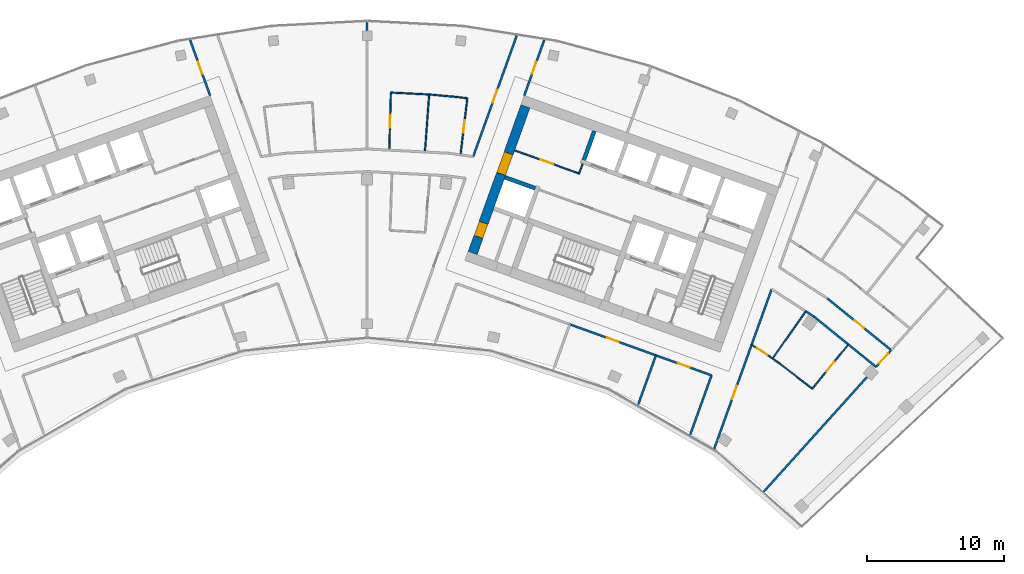
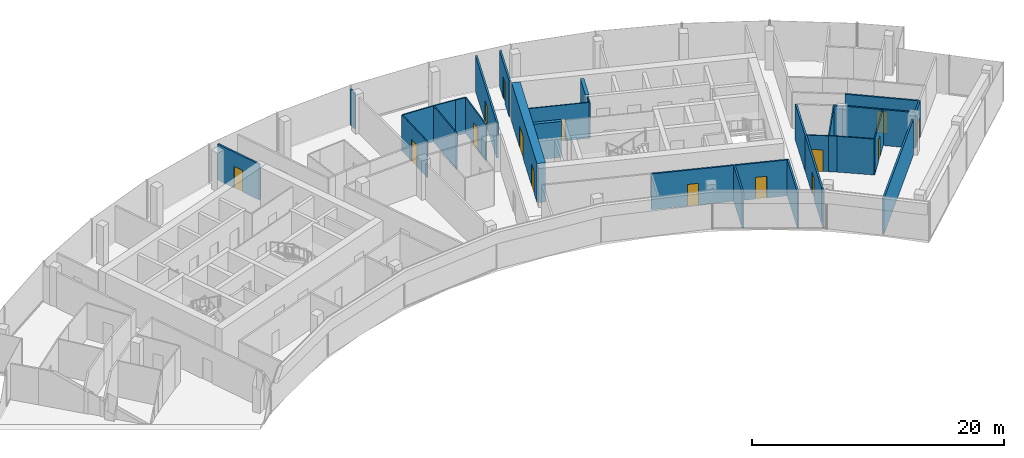
# One storey, part 15 of 18: 33 walls, 15 doors, 15 openings.
"""IFC4 building model written with IfcOpenShell, lengths in metres."""

from ifc_helpers import new_model, si_unit, direction, frame, frame_2d, origin, place, context, subcontext, project, spatial, rectangle, extrude, material, layer, layer_set, type_object, element, fill, save


model = new_model("IFC4")

# Units and contexts
model_context = context("Model", 3, precision=1e-05, world=origin(), true_north=direction((0.0, 1.0)))
body_context = subcontext(model_context, "Body", "Model", "MODEL_VIEW")
ifc_project = project(units=[si_unit("LENGTHUNIT", "METRE"), si_unit("AREAUNIT", "SQUARE_METRE"), si_unit("VOLUMEUNIT", "CUBIC_METRE"), si_unit("PLANEANGLEUNIT", "RADIAN"), si_unit("MASSUNIT", "GRAM", prefix="KILO")], contexts=[model_context])

# Site, building, storey
site_placement = place(None, origin())
site = spatial("IfcSite", under=ifc_project, at=site_placement, CompositionType="ELEMENT")
building_placement = place(site_placement, origin())
building = spatial("IfcBuilding", under=site, at=building_placement, Name="Stone Belt Terrace Tower", CompositionType="ELEMENT")
storey_placement = place(building_placement, frame((0.0, 0.0, 273.199951171875)))
storey = spatial("IfcBuildingStorey", under=building, at=storey_placement, Name="L66", CompositionType="ELEMENT", Elevation=273.199951171875)

# Wall
ifc_material_1 = material(Name="Plasterboard partition")
ifc_layer_1 = layer(ifc_material_1, 0.10009765625)
ifc_layer_set_1 = layer_set([ifc_layer_1], Name="Core partition 100")
wall_type_1 = type_object("IfcWallType", Name="Core partition 100", PredefinedType="PARTITIONING", material=ifc_layer_set_1)
wall_1_placement = place(storey_placement, frame((15.46826171875, 55.384033203125, 0.0), z_axis=(0.0, 0.0, 1.0), x_axis=(0.338481684961, 0.940972979923, 0.0)))
element("IfcWall", 1, at=wall_1_placement, inside=storey, type_object=wall_type_1, Name="Core B wall", PredefinedType="PARTITIONING", context=body_context, shape_type="SweptSolid", body=[
    extrude(rectangle(XDim=0.7998046875, YDim=0.10009765625, at=frame_2d((0.39990234375, 0.0))), origin(), (0.0, 0.0, 1.0), 3.47998046875),
])

# Wall, opening, door
wall_2_placement = place(storey_placement, frame((15.43798828125, 55.447998046875, 0.0), z_axis=(0.0, 0.0, 1.0), x_axis=(-0.940914445113, 0.338644366522, 0.0)))
wall_2 = element("IfcWall", 2, at=wall_2_placement, inside=storey, type_object=wall_type_1, Name="Core B wall", PredefinedType="PARTITIONING", context=body_context, shape_type="SweptSolid", body=[
    extrude(rectangle(XDim=4.949951171875, YDim=0.10009765625, at=frame_2d((2.47509765625, 0.0))), origin(), (0.0, 0.0, 1.0), 3.47998046875),
])
opening_1_placement = place(wall_2_placement, frame((1.949951171875, 0.0, 0.0)))
opening_1 = element("IfcOpeningElement", 3, at=opening_1_placement, cuts=wall_2, Name="Opening L66-C12", PredefinedType="OPENING", context=body_context, shape_type="SweptSolid", body=[
    extrude(rectangle(XDim=1.0, YDim=2.10009765625, at=frame_2d((0.5, 1.050048828125))), frame((0.0, 0.06005859375, 0.0), z_axis=(0.0, -1.0, 0.0), x_axis=(1.0, 0.0, 0.0)), (0.0, 0.0, 1.0), 0.1201171875),
])
ifc_material_2 = material(Name="Timber door leaf", Category="wood")
door_type_1 = type_object("IfcDoorType", Name="Core room door 1000", OperationType="SINGLE_SWING_LEFT", PredefinedType="DOOR", material=ifc_material_2)
door_1_placement = place(opening_1_placement, origin())
door_1 = element("IfcDoor", 4, at=door_1_placement, inside=storey, type_object=door_type_1, Name="Door to Print and copy room core B", OperationType="SINGLE_SWING_RIGHT", OverallHeight=2.10009765625, OverallWidth=1.0, PredefinedType="DOOR", context=body_context, shape_type="SweptSolid", body=[
    extrude(rectangle(XDim=1.0, YDim=2.10009765625, at=frame_2d((0.5, 1.050048828125))), frame((0.0, 0.02490234375, 0.0), z_axis=(0.0, -1.0, 0.0), x_axis=(1.0, 0.0, 0.0)), (0.0, 0.0, 1.0), 0.050048828125),
])
fill(opening_1, door_1)

# Wall, openings, doors
ifc_material_3 = material(Name="Concrete B60", Category="concrete")
ifc_layer_2 = layer(ifc_material_3, 0.699951171875)
ifc_layer_set_2 = layer_set([ifc_layer_2], Name="Core wall 700 B60")
wall_type_2 = type_object("IfcWallType", Name="Core wall 700 B60", PredefinedType="SHEAR", material=ifc_layer_set_2)
wall_3_placement = place(storey_placement, frame((7.70849609375, 49.621337890625, 0.0), z_axis=(0.0, 0.0, 1.0), x_axis=(0.338606471282, 0.940928083121, 0.0)))
wall_3 = element("IfcWall", 5, at=wall_3_placement, inside=storey, type_object=wall_type_2, Name="Core B wall end_a L66", PredefinedType="SHEAR", context=body_context, shape_type="SweptSolid", body=[
    extrude(rectangle(XDim=11.39990234375, YDim=0.699951171875, at=frame_2d((5.699951171875, 0.0))), origin(), (0.0, 0.0, 1.0), 3.800048828125),
])
opening_2_placement = place(wall_3_placement, frame((6.14990234375, 0.0, 0.0)))
opening_2 = element("IfcOpeningElement", 6, at=opening_2_placement, cuts=wall_3, Name="Opening L66-C15", PredefinedType="OPENING", context=body_context, shape_type="SweptSolid", body=[
    extrude(rectangle(XDim=1.60009765625, YDim=2.10009765625, at=frame_2d((0.800048828125, 1.050048828125))), frame((0.0, 0.35986328125, 0.0), z_axis=(0.0, -1.0, 0.0), x_axis=(1.0, 0.0, 0.0)), (0.0, 0.0, 1.0), 0.719970703125),
])
opening_3_placement = place(wall_3_placement, frame((1.25, 0.0, 0.0)))
opening_3 = element("IfcOpeningElement", 7, at=opening_3_placement, cuts=wall_3, Name="Opening L66-C21", PredefinedType="OPENING", context=body_context, shape_type="SweptSolid", body=[
    extrude(rectangle(XDim=1.10009765625, YDim=2.10009765625, at=frame_2d((0.550048828125, 1.050048828125))), frame((0.0, 0.35986328125, 0.0), z_axis=(0.0, -1.0, 0.0), x_axis=(1.0, 0.0, 0.0)), (0.0, 0.0, 1.0), 0.719970703125),
])
door_type_2 = type_object("IfcDoorType", Name="Core room door 1100", OperationType="SINGLE_SWING_LEFT", PredefinedType="DOOR", material=ifc_material_2)
door_2_placement = place(opening_3_placement, origin())
door_2 = element("IfcDoor", 8, at=door_2_placement, inside=storey, type_object=door_type_2, Name="Door to Cleaner's store core B", OperationType="SINGLE_SWING_LEFT", OverallHeight=2.10009765625, OverallWidth=1.10009765625, PredefinedType="DOOR", context=body_context, shape_type="SweptSolid", body=[
    extrude(rectangle(XDim=1.10009765625, YDim=2.10009765625, at=frame_2d((0.550048828125, 1.050048828125))), frame((0.0, 0.330078125, 0.0), z_axis=(0.0, -1.0, 0.0), x_axis=(1.0, 0.0, 0.0)), (0.0, 0.0, 1.0), 0.659912109375),
])
fill(opening_3, door_2)
ifc_material_4 = material(Name="Glazed aluminium door leaf", Category="aluminium")
door_type_3 = type_object("IfcDoorType", Name="Lift lobby entrance door 1600", OperationType="DOUBLE_DOOR_SINGLE_SWING", PredefinedType="DOOR", material=ifc_material_4)
door_3_placement = place(opening_2_placement, origin())
door_3 = element("IfcDoor", 9, at=door_3_placement, inside=storey, type_object=door_type_3, Name="Lift lobby entrance door core B", OperationType="DOUBLE_DOOR_SINGLE_SWING", OverallHeight=2.10009765625, OverallWidth=1.60009765625, PredefinedType="DOOR", context=body_context, shape_type="SweptSolid", body=[
    extrude(rectangle(XDim=1.60009765625, YDim=2.10009765625, at=frame_2d((0.800048828125, 1.050048828125))), frame((0.0, 0.330078125, 0.0), z_axis=(0.0, -1.0, 0.0), x_axis=(1.0, 0.0, 0.0)), (0.0, 0.0, 1.0), 0.659912109375),
])
fill(opening_2, door_3)

# Walls
ifc_material_5 = material(Name="Concrete B80", Category="concrete")
ifc_layer_3 = layer(ifc_material_5, 0.300048828125)
ifc_layer_set_3 = layer_set([ifc_layer_3], Name="Lift shaft wall 300")
wall_type_3 = type_object("IfcWallType", Name="Lift shaft wall 300", PredefinedType="SHEAR", material=ifc_layer_set_3)
wall_4_placement = place(storey_placement, frame((15.8408203125, 56.419189453125, 0.0), z_axis=(0.0, 0.0, 1.0), x_axis=(0.338569601369, 0.940941350472, 0.0)))
element("IfcWall", 10, at=wall_4_placement, inside=storey, type_object=wall_type_3, Name="Core B wall", PredefinedType="SHEAR", context=body_context, shape_type="SweptSolid", body=[
    extrude(rectangle(XDim=2.249755859375, YDim=0.300048828125, at=frame_2d((1.125, 0.0))), origin(), (0.0, 0.0, 1.0), 3.47998046875),
])
wall_5_placement = place(storey_placement, frame((12.280517578125, 54.3525390625, 0.0), z_axis=(0.0, 0.0, 1.0), x_axis=(-0.940925816745, 0.338612769078, 0.0)))
element("IfcWall", 11, at=wall_5_placement, inside=storey, type_object=wall_type_3, Name="Core B wall", PredefinedType="SHEAR", context=body_context, shape_type="SweptSolid", body=[
    extrude(rectangle(XDim=2.349853515625, YDim=0.300048828125, at=frame_2d((1.1748046875, 0.0))), origin(), (0.0, 0.0, 1.0), 3.47998046875),
])

# Wall, opening, door
ifc_material_6 = material(Name="Gypsum board partition")
ifc_layer_4 = layer(ifc_material_6, 0.10009765625)
ifc_layer_set_4 = layer_set([ifc_layer_4], Name="PARTITION 100")
wall_type_4 = type_object("IfcWallType", Name="PARTITION 100", PredefinedType="PARTITIONING", material=ifc_layer_set_4)
wall_6_placement = place(storey_placement, frame((28.093017578125, 42.9208984375, 0.0), z_axis=(0.0, 0.0, 1.0), x_axis=(0.836665899721, -0.547713585958, 0.0)))
wall_6 = element("IfcWall", 12, at=wall_6_placement, inside=storey, type_object=wall_type_4, Name="L66/wall/i070", PredefinedType="PARTITIONING", context=body_context, shape_type="SweptSolid", body=[
    extrude(rectangle(XDim=1.82763671875, YDim=0.10009765625, at=frame_2d((0.913818359375, 0.0))), origin(), (0.0, 0.0, 1.0), 3.47998046875),
])
opening_4_placement = place(wall_6_placement, frame((0.4638671875, 0.0, 0.0)))
opening_4 = element("IfcOpeningElement", 13, at=opening_4_placement, cuts=wall_6, Name="Opening D-E2-20", PredefinedType="OPENING", context=body_context, shape_type="SweptSolid", body=[
    extrude(rectangle(XDim=0.89990234375, YDim=2.10009765625, at=frame_2d((0.449951171875, 1.050048828125))), frame((0.0, 0.06005859375, 0.0), z_axis=(0.0, -1.0, 0.0), x_axis=(1.0, 0.0, 0.0)), (0.0, 0.0, 1.0), 0.1201171875),
])
door_type_4 = type_object("IfcDoorType", Name="OFFICE DOOR 900 X 2100", OperationType="NOTDEFINED", PredefinedType="DOOR", material=ifc_material_2)
door_4_placement = place(opening_4_placement, origin())
door_4 = element("IfcDoor", 14, at=door_4_placement, inside=storey, type_object=door_type_4, Name="L66/door/i20", OperationType="SINGLE_SWING_RIGHT", OverallHeight=2.10009765625, OverallWidth=0.89990234375, PredefinedType="DOOR", context=body_context, shape_type="SweptSolid", body=[
    extrude(rectangle(XDim=0.89990234375, YDim=2.10009765625, at=frame_2d((0.449951171875, 1.050048828125))), frame((0.0, 0.02490234375, 0.0), z_axis=(0.0, -1.0, 0.0), x_axis=(1.0, 0.0, 0.0)), (0.0, 0.0, 1.0), 0.050048828125),
])
fill(opening_4, door_4)

# Walls
wall_7_placement = place(storey_placement, frame((29.6220703125, 41.919921875, 0.0), z_axis=(0.0, 0.0, 1.0), x_axis=(0.813170941338, -0.582024930878, 0.0)))
element("IfcWall", 15, at=wall_7_placement, inside=storey, type_object=wall_type_4, Name="L66/wall/i071", PredefinedType="PARTITIONING", context=body_context, shape_type="SweptSolid", body=[
    extrude(rectangle(XDim=0.6748046875, YDim=0.10009765625, at=frame_2d((0.33740234375, 0.0))), origin(), (0.0, 0.0, 1.0), 3.47998046875),
])
wall_8_placement = place(storey_placement, frame((30.1708984375, 41.527099609375, 0.0), z_axis=(0.0, 0.0, 1.0), x_axis=(0.791624473006, -0.611007932631, 0.0)))
element("IfcWall", 16, at=wall_8_placement, inside=storey, type_object=wall_type_4, Name="L66/wall/i072", PredefinedType="PARTITIONING", context=body_context, shape_type="SweptSolid", body=[
    extrude(rectangle(XDim=2.972412109375, YDim=0.10009765625, at=frame_2d((1.486328125, 0.0))), origin(), (0.0, 0.0, 1.0), 3.47998046875),
])

# Wall, opening, door
wall_9_placement = place(storey_placement, frame((32.52392578125, 39.7109375, 0.0), z_axis=(0.0, 0.0, 1.0), x_axis=(0.633607556463, 0.7736546157, 0.0)))
wall_9 = element("IfcWall", 17, at=wall_9_placement, inside=storey, type_object=wall_type_4, Name="L66/wall/i073", PredefinedType="PARTITIONING", context=body_context, shape_type="SweptSolid", body=[
    extrude(rectangle(XDim=4.169921875, YDim=0.10009765625, at=frame_2d((2.0849609375, 0.0))), origin(), (0.0, 0.0, 1.0), 3.47998046875),
])
opening_5_placement = place(wall_9_placement, frame((1.635009765625, 0.0, 0.0)))
opening_5 = element("IfcOpeningElement", 18, at=opening_5_placement, cuts=wall_9, Name="Opening D-E2-21", PredefinedType="OPENING", context=body_context, shape_type="SweptSolid", body=[
    extrude(rectangle(XDim=0.89990234375, YDim=2.10009765625, at=frame_2d((0.449951171875, 1.050048828125))), frame((0.0, 0.06005859375, 0.0), z_axis=(0.0, -1.0, 0.0), x_axis=(1.0, 0.0, 0.0)), (0.0, 0.0, 1.0), 0.1201171875),
])
door_5_placement = place(opening_5_placement, origin())
door_5 = element("IfcDoor", 19, at=door_5_placement, inside=storey, type_object=door_type_4, Name="L66/door/i21", OperationType="SINGLE_SWING_RIGHT", OverallHeight=2.10009765625, OverallWidth=0.89990234375, PredefinedType="DOOR", context=body_context, shape_type="SweptSolid", body=[
    extrude(rectangle(XDim=0.89990234375, YDim=2.10009765625, at=frame_2d((0.449951171875, 1.050048828125))), frame((0.0, 0.02490234375, 0.0), z_axis=(0.0, -1.0, 0.0), x_axis=(1.0, 0.0, 0.0)), (0.0, 0.0, 1.0), 0.050048828125),
])
fill(opening_5, door_5)

# Walls
wall_10_placement = place(storey_placement, frame((32.052001953125, 45.35888671875, 0.0), z_axis=(0.0, 0.0, 1.0), x_axis=(-0.577067832251, -0.816696220746, 0.0)))
element("IfcWall", 20, at=wall_10_placement, inside=storey, type_object=wall_type_4, Name="L66/wall/i074", PredefinedType="PARTITIONING", context=body_context, shape_type="SweptSolid", body=[
    extrude(rectangle(XDim=4.2109375, YDim=0.10009765625, at=frame_2d((2.10546875, 0.0))), origin(), (0.0, 0.0, 1.0), 3.47998046875),
])
wall_11_placement = place(storey_placement, frame((4.530029296875, 61.2060546875, 0.0), z_axis=(0.0, 0.0, 1.0), x_axis=(-0.998696331393, 0.05104544703, 0.0)))
element("IfcWall", 21, at=wall_11_placement, inside=storey, type_object=wall_type_4, Name="L66/wall/i112", PredefinedType="PARTITIONING", context=body_context, shape_type="SweptSolid", body=[
    extrude(rectangle(XDim=2.802734375, YDim=0.10009765625, at=frame_2d((1.4013671875, 0.0))), origin(), (0.0, 0.0, 1.0), 3.47998046875),
])

# Wall, opening, door
wall_12_placement = place(storey_placement, frame((1.73095703125, 61.34912109375, 0.0), z_axis=(0.0, 0.0, 1.0), x_axis=(-0.028011746804, -0.999607594029, 0.0)))
wall_12 = element("IfcWall", 22, at=wall_12_placement, inside=storey, type_object=wall_type_4, Name="L66/wall/i113", PredefinedType="PARTITIONING", context=body_context, shape_type="SweptSolid", body=[
    extrude(rectangle(XDim=4.209716796875, YDim=0.10009765625, at=frame_2d((2.10498046875, 0.0))), origin(), (0.0, 0.0, 1.0), 3.47998046875),
])
opening_6_placement = place(wall_12_placement, frame((1.65478515625, 0.0, 0.0)))
opening_6 = element("IfcOpeningElement", 23, at=opening_6_placement, cuts=wall_12, Name="Opening D-E2-32", PredefinedType="OPENING", context=body_context, shape_type="SweptSolid", body=[
    extrude(rectangle(XDim=0.89990234375, YDim=2.10009765625, at=frame_2d((0.449951171875, 1.050048828125))), frame((0.0, 0.06005859375, 0.0), z_axis=(0.0, -1.0, 0.0), x_axis=(1.0, 0.0, 0.0)), (0.0, 0.0, 1.0), 0.1201171875),
])
door_6_placement = place(opening_6_placement, origin())
door_6 = element("IfcDoor", 24, at=door_6_placement, inside=storey, type_object=door_type_4, Name="L66/door/i32", OperationType="SINGLE_SWING_RIGHT", OverallHeight=2.10009765625, OverallWidth=0.89990234375, PredefinedType="DOOR", context=body_context, shape_type="SweptSolid", body=[
    extrude(rectangle(XDim=0.89990234375, YDim=2.10009765625, at=frame_2d((0.449951171875, 1.050048828125))), frame((0.0, 0.02490234375, 0.0), z_axis=(0.0, -1.0, 0.0), x_axis=(1.0, 0.0, 0.0)), (0.0, 0.0, 1.0), 0.050048828125),
])
fill(opening_6, door_6)

wall_13_placement = place(storey_placement, frame((6.822021484375, 56.797119140625, 0.0), z_axis=(0.0, 0.0, 1.0), x_axis=(0.119267645101, 0.992862139893, 0.0)))
wall_13 = element("IfcWall", 25, at=wall_13_placement, inside=storey, type_object=wall_type_4, Name="L66/wall/i114", PredefinedType="PARTITIONING", context=body_context, shape_type="SweptSolid", body=[
    extrude(rectangle(XDim=4.167724609375, YDim=0.10009765625, at=frame_2d((2.083984375, 0.0))), origin(), (0.0, 0.0, 1.0), 3.47998046875),
])
opening_7_placement = place(wall_13_placement, frame((1.6337890625, 0.0, 0.0)))
opening_7 = element("IfcOpeningElement", 26, at=opening_7_placement, cuts=wall_13, Name="Opening D-E2-33", PredefinedType="OPENING", context=body_context, shape_type="SweptSolid", body=[
    extrude(rectangle(XDim=0.89990234375, YDim=2.10009765625, at=frame_2d((0.449951171875, 1.050048828125))), frame((0.0, 0.06005859375, 0.0), z_axis=(0.0, -1.0, 0.0), x_axis=(1.0, 0.0, 0.0)), (0.0, 0.0, 1.0), 0.1201171875),
])
door_7_placement = place(opening_7_placement, origin())
door_7 = element("IfcDoor", 27, at=door_7_placement, inside=storey, type_object=door_type_4, Name="L66/door/i33", OperationType="SINGLE_SWING_RIGHT", OverallHeight=2.10009765625, OverallWidth=0.89990234375, PredefinedType="DOOR", context=body_context, shape_type="SweptSolid", body=[
    extrude(rectangle(XDim=0.89990234375, YDim=2.10009765625, at=frame_2d((0.449951171875, 1.050048828125))), frame((0.0, 0.02490234375, 0.0), z_axis=(0.0, -1.0, 0.0), x_axis=(1.0, 0.0, 0.0)), (0.0, 0.0, 1.0), 0.050048828125),
])
fill(opening_7, door_7)

# Walls
wall_14_placement = place(storey_placement, frame((7.319091796875, 60.93505859375, 0.0), z_axis=(0.0, 0.0, 1.0), x_axis=(-0.993689136585, 0.112169068078, 0.0)))
element("IfcWall", 28, at=wall_14_placement, inside=storey, type_object=wall_type_4, Name="L66/wall/i115", PredefinedType="PARTITIONING", context=body_context, shape_type="SweptSolid", body=[
    extrude(rectangle(XDim=0.909912109375, YDim=0.10009765625, at=frame_2d((0.455078125, 0.0))), origin(), (0.0, 0.0, 1.0), 3.47998046875),
])
wall_15_placement = place(storey_placement, frame((6.4150390625, 61.037109375, 0.0), z_axis=(0.0, 0.0, 1.0), x_axis=(-0.996007653446, 0.089267879314, 0.0)))
element("IfcWall", 29, at=wall_15_placement, inside=storey, type_object=wall_type_4, Name="L66/wall/i116", PredefinedType="PARTITIONING", context=body_context, shape_type="SweptSolid", body=[
    extrude(rectangle(XDim=1.892578125, YDim=0.10009765625, at=frame_2d((0.9462890625, 0.0))), origin(), (0.0, 0.0, 1.0), 3.47998046875),
])
wall_16_placement = place(storey_placement, frame((4.530029296875, 61.2060546875, 0.0), z_axis=(0.0, 0.0, 1.0), x_axis=(-0.073816195319, -0.997271863289, 0.0)))
element("IfcWall", 30, at=wall_16_placement, inside=storey, type_object=wall_type_4, Name="L66/wall/i117", PredefinedType="PARTITIONING", context=body_context, shape_type="SweptSolid", body=[
    extrude(rectangle(XDim=4.213623046875, YDim=0.10009765625, at=frame_2d((2.10693359375, 0.0))), origin(), (0.0, 0.0, 1.0), 3.47998046875),
])

# Wall, opening, door
ifc_layer_5 = layer(ifc_material_6, 0.14990234375)
ifc_layer_set_5 = layer_set([ifc_layer_5], Name="PARTITION 150 EI 60")
wall_type_5 = type_object("IfcWallType", Name="PARTITION 150 EI 60", PredefinedType="PARTITIONING", material=ifc_layer_set_5)
wall_17_placement = place(storey_placement, frame((-11.47607421875, 61.125, 0.0), z_axis=(0.0, 0.0, 1.0), x_axis=(-0.338707450319, 0.940891738245, 0.0)))
wall_17 = element("IfcWall", 31, at=wall_17_placement, inside=storey, type_object=wall_type_5, Name="L66/wall/i008", PredefinedType="PARTITIONING", context=body_context, shape_type="SweptSolid", body=[
    extrude(rectangle(XDim=4.316162109375, YDim=0.14990234375, at=frame_2d((2.158203125, 0.0))), origin(), (0.0, 0.0, 1.0), 3.47998046875),
])
opening_8_placement = place(wall_17_placement, frame((1.7080078125, 0.0, 0.0)))
opening_8 = element("IfcOpeningElement", 32, at=opening_8_placement, cuts=wall_17, Name="Opening D-E2-05", PredefinedType="OPENING", context=body_context, shape_type="SweptSolid", body=[
    extrude(rectangle(XDim=0.89990234375, YDim=2.10009765625, at=frame_2d((0.449951171875, 1.050048828125))), frame((0.0, 0.0849609375, 0.0), z_axis=(0.0, -1.0, 0.0), x_axis=(1.0, 0.0, 0.0)), (0.0, 0.0, 1.0), 0.169921875),
])
door_8_placement = place(opening_8_placement, origin())
door_8 = element("IfcDoor", 33, at=door_8_placement, inside=storey, type_object=door_type_4, Name="L66/door/i05", OperationType="SINGLE_SWING_RIGHT", OverallHeight=2.10009765625, OverallWidth=0.89990234375, PredefinedType="DOOR", context=body_context, shape_type="SweptSolid", body=[
    extrude(rectangle(XDim=0.89990234375, YDim=2.10009765625, at=frame_2d((0.449951171875, 1.050048828125))), frame((0.0, 0.02490234375, 0.0), z_axis=(0.0, -1.0, 0.0), x_axis=(1.0, 0.0, 0.0)), (0.0, 0.0, 1.0), 0.050048828125),
])
fill(opening_8, door_8)

wall_18_placement = place(storey_placement, frame((12.93798828125, 65.18603515625, 0.0), z_axis=(0.0, 0.0, 1.0), x_axis=(-0.338707450319, -0.940891738245, 0.0)))
wall_18 = element("IfcWall", 34, at=wall_18_placement, inside=storey, type_object=wall_type_5, Name="L66/wall/i019", PredefinedType="PARTITIONING", context=body_context, shape_type="SweptSolid", body=[
    extrude(rectangle(XDim=4.316162109375, YDim=0.14990234375, at=frame_2d((2.158203125, 0.0))), origin(), (0.0, 0.0, 1.0), 3.47998046875),
])
opening_9_placement = place(wall_18_placement, frame((1.7080078125, 0.0, 0.0)))
opening_9 = element("IfcOpeningElement", 35, at=opening_9_placement, cuts=wall_18, Name="Opening D-E2-09", PredefinedType="OPENING", context=body_context, shape_type="SweptSolid", body=[
    extrude(rectangle(XDim=0.89990234375, YDim=2.10009765625, at=frame_2d((0.449951171875, 1.050048828125))), frame((0.0, 0.0849609375, 0.0), z_axis=(0.0, -1.0, 0.0), x_axis=(1.0, 0.0, 0.0)), (0.0, 0.0, 1.0), 0.169921875),
])
door_9_placement = place(opening_9_placement, origin())
door_9 = element("IfcDoor", 36, at=door_9_placement, inside=storey, type_object=door_type_4, Name="L66/door/i09", OperationType="SINGLE_SWING_RIGHT", OverallHeight=2.10009765625, OverallWidth=0.89990234375, PredefinedType="DOOR", context=body_context, shape_type="SweptSolid", body=[
    extrude(rectangle(XDim=0.89990234375, YDim=2.10009765625, at=frame_2d((0.449951171875, 1.050048828125))), frame((0.0, 0.02490234375, 0.0), z_axis=(0.0, -1.0, 0.0), x_axis=(1.0, 0.0, 0.0)), (0.0, 0.0, 1.0), 0.050048828125),
])
fill(opening_9, door_9)

wall_19_placement = place(storey_placement, frame((7.7451171875, 56.6640625, 0.0), z_axis=(0.0, 0.0, 1.0), x_axis=(0.338644933311, 0.94091424112, 0.0)))
wall_19 = element("IfcWall", 37, at=wall_19_placement, inside=storey, type_object=wall_type_5, Name="L66/wall/i021", PredefinedType="PARTITIONING", context=body_context, shape_type="SweptSolid", body=[
    extrude(rectangle(XDim=9.395263671875, YDim=0.14990234375, at=frame_2d((4.69775390625, 0.0))), origin(), (0.0, 0.0, 1.0), 3.47998046875),
])
opening_10_placement = place(wall_19_placement, frame((4.19775390625, 0.0, 0.0)))
opening_10 = element("IfcOpeningElement", 38, at=opening_10_placement, cuts=wall_19, Name="Opening D-E2-31", PredefinedType="OPENING", context=body_context, shape_type="SweptSolid", body=[
    extrude(rectangle(XDim=1.0, YDim=2.10009765625, at=frame_2d((0.5, 1.050048828125))), frame((0.0, 0.0849609375, 0.0), z_axis=(0.0, -1.0, 0.0), x_axis=(1.0, 0.0, 0.0)), (0.0, 0.0, 1.0), 0.169921875),
])
ifc_material_7 = material(Name="Timber fire door leaf", Category="wood")
door_type_5 = type_object("IfcDoorType", Name="TENANCY ENTRANCE DOOR 1000 X 2100", OperationType="NOTDEFINED", PredefinedType="DOOR", material=ifc_material_7)
door_10_placement = place(opening_10_placement, origin())
door_10 = element("IfcDoor", 39, at=door_10_placement, inside=storey, type_object=door_type_5, Name="L66/door/i31", OperationType="SINGLE_SWING_RIGHT", OverallHeight=2.10009765625, OverallWidth=1.0, PredefinedType="DOOR", context=body_context, shape_type="SweptSolid", body=[
    extrude(rectangle(XDim=1.0, YDim=2.10009765625, at=frame_2d((0.5, 1.050048828125))), frame((0.0, 0.02490234375, 0.0), z_axis=(0.0, -1.0, 0.0), x_axis=(1.0, 0.0, 0.0)), (0.0, 0.0, 1.0), 0.050048828125),
])
fill(opening_10, door_10)

# Wall
wall_20_placement = place(storey_placement, frame((23.5966796875, 36.330810546875, 0.0), z_axis=(0.0, 0.0, 1.0), x_axis=(0.338609342271, 0.94092704995, 0.0)))
element("IfcWall", 40, at=wall_20_placement, inside=storey, type_object=wall_type_5, Name="L66/wall/i022", PredefinedType="PARTITIONING", context=body_context, shape_type="SweptSolid", body=[
    extrude(rectangle(XDim=4.6318359375, YDim=0.14990234375, at=frame_2d((2.31591796875, 0.0))), origin(), (0.0, 0.0, 1.0), 3.47998046875),
])

# Wall, opening, door
wall_21_placement = place(storey_placement, frame((28.094970703125, 42.927001953125, 0.0), z_axis=(0.0, 0.0, 1.0), x_axis=(-0.338591381636, -0.94093351321, 0.0)))
wall_21 = element("IfcWall", 41, at=wall_21_placement, inside=storey, type_object=wall_type_5, Name="L66/wall/i024", PredefinedType="PARTITIONING", context=body_context, shape_type="SweptSolid", body=[
    extrude(rectangle(XDim=7.424560546875, YDim=0.14990234375, at=frame_2d((3.71240234375, 0.0))), origin(), (0.0, 0.0, 1.0), 3.47998046875),
])
opening_11_placement = place(wall_21_placement, frame((3.21240234375, 0.0, 0.0)))
opening_11 = element("IfcOpeningElement", 42, at=opening_11_placement, cuts=wall_21, Name="Opening D-E2-19", PredefinedType="OPENING", context=body_context, shape_type="SweptSolid", body=[
    extrude(rectangle(XDim=1.0, YDim=2.10009765625, at=frame_2d((0.5, 1.050048828125))), frame((0.0, 0.0849609375, 0.0), z_axis=(0.0, -1.0, 0.0), x_axis=(1.0, 0.0, 0.0)), (0.0, 0.0, 1.0), 0.169921875),
])
door_11_placement = place(opening_11_placement, origin())
door_11 = element("IfcDoor", 43, at=door_11_placement, inside=storey, type_object=door_type_5, Name="L66/door/i19", OperationType="SINGLE_SWING_RIGHT", OverallHeight=2.10009765625, OverallWidth=1.0, PredefinedType="DOOR", context=body_context, shape_type="SweptSolid", body=[
    extrude(rectangle(XDim=1.0, YDim=2.10009765625, at=frame_2d((0.5, 1.050048828125))), frame((0.0, 0.02490234375, 0.0), z_axis=(0.0, -1.0, 0.0), x_axis=(1.0, 0.0, 0.0)), (0.0, 0.0, 1.0), 0.050048828125),
])
fill(opening_11, door_11)

# Walls
wall_22_placement = place(storey_placement, frame((25.566162109375, 35.899658203125, 0.0), z_axis=(0.0, 0.0, 1.0), x_axis=(-0.338633814852, -0.940918242696, 0.0)))
element("IfcWall", 44, at=wall_22_placement, inside=storey, type_object=wall_type_5, Name="L66/wall/i025", PredefinedType="PARTITIONING", context=body_context, shape_type="SweptSolid", body=[
    extrude(rectangle(XDim=0.605712890625, YDim=0.14990234375, at=frame_2d((0.302734375, 0.0))), origin(), (0.0, 0.0, 1.0), 3.47998046875),
])
wall_23_placement = place(storey_placement, frame((29.556884765625, 46.987060546875, 0.0), z_axis=(0.0, 0.0, 1.0), x_axis=(-0.338697494678, -0.940895322073, 0.0)))
element("IfcWall", 45, at=wall_23_placement, inside=storey, type_object=wall_type_5, Name="L66/wall/i026", PredefinedType="PARTITIONING", context=body_context, shape_type="SweptSolid", body=[
    extrude(rectangle(XDim=4.327880859375, YDim=0.14990234375, at=frame_2d((2.1640625, 0.0))), origin(), (0.0, 0.0, 1.0), 3.47998046875),
])

# Wall, opening, door
wall_24_placement = place(storey_placement, frame((21.10400390625, 42.14404296875, 0.0), z_axis=(0.0, 0.0, 1.0), x_axis=(-0.940892519903, 0.338705278952, 0.0)))
wall_24 = element("IfcWall", 46, at=wall_24_placement, inside=storey, type_object=wall_type_5, Name="L66/wall/i031", PredefinedType="PARTITIONING", context=body_context, shape_type="SweptSolid", body=[
    extrude(rectangle(XDim=6.7021484375, YDim=0.14990234375, at=frame_2d((3.35107421875, 0.0))), origin(), (0.0, 0.0, 1.0), 3.47998046875),
])
opening_12_placement = place(wall_24_placement, frame((2.901123046875, 0.0, 0.0)))
opening_12 = element("IfcOpeningElement", 47, at=opening_12_placement, cuts=wall_24, Name="Opening D-E2-07", PredefinedType="OPENING", context=body_context, shape_type="SweptSolid", body=[
    extrude(rectangle(XDim=0.89990234375, YDim=2.10009765625, at=frame_2d((0.449951171875, 1.050048828125))), frame((0.0, 0.0849609375, 0.0), z_axis=(0.0, -1.0, 0.0), x_axis=(1.0, 0.0, 0.0)), (0.0, 0.0, 1.0), 0.169921875),
])
door_12_placement = place(opening_12_placement, origin())
door_12 = element("IfcDoor", 48, at=door_12_placement, inside=storey, type_object=door_type_4, Name="L66/door/i07", OperationType="SINGLE_SWING_RIGHT", OverallHeight=2.10009765625, OverallWidth=0.89990234375, PredefinedType="DOOR", context=body_context, shape_type="SweptSolid", body=[
    extrude(rectangle(XDim=0.89990234375, YDim=2.10009765625, at=frame_2d((0.449951171875, 1.050048828125))), frame((0.0, 0.02490234375, 0.0), z_axis=(0.0, -1.0, 0.0), x_axis=(1.0, 0.0, 0.0)), (0.0, 0.0, 1.0), 0.050048828125),
])
fill(opening_12, door_12)

wall_25_placement = place(storey_placement, frame((25.1630859375, 40.68310546875, 0.0), z_axis=(0.0, 0.0, 1.0), x_axis=(-0.94091546888, 0.338641522001, 0.0)))
wall_25 = element("IfcWall", 49, at=wall_25_placement, inside=storey, type_object=wall_type_5, Name="L66/wall/i032", PredefinedType="PARTITIONING", context=body_context, shape_type="SweptSolid", body=[
    extrude(rectangle(XDim=4.32568359375, YDim=0.14990234375, at=frame_2d((2.162841796875, 0.0))), origin(), (0.0, 0.0, 1.0), 3.47998046875),
])
opening_13_placement = place(wall_25_placement, frame((1.712890625, 0.0, 0.0)))
opening_13 = element("IfcOpeningElement", 50, at=opening_13_placement, cuts=wall_25, Name="Opening D-E2-08", PredefinedType="OPENING", context=body_context, shape_type="SweptSolid", body=[
    extrude(rectangle(XDim=0.89990234375, YDim=2.10009765625, at=frame_2d((0.449951171875, 1.050048828125))), frame((0.0, 0.0849609375, 0.0), z_axis=(0.0, -1.0, 0.0), x_axis=(1.0, 0.0, 0.0)), (0.0, 0.0, 1.0), 0.169921875),
])
door_13_placement = place(opening_13_placement, origin())
door_13 = element("IfcDoor", 51, at=door_13_placement, inside=storey, type_object=door_type_4, Name="L66/door/i08", OperationType="SINGLE_SWING_RIGHT", OverallHeight=2.10009765625, OverallWidth=0.89990234375, PredefinedType="DOOR", context=body_context, shape_type="SweptSolid", body=[
    extrude(rectangle(XDim=0.89990234375, YDim=2.10009765625, at=frame_2d((0.449951171875, 1.050048828125))), frame((0.0, 0.02490234375, 0.0), z_axis=(0.0, -1.0, 0.0), x_axis=(1.0, 0.0, 0.0)), (0.0, 0.0, 1.0), 0.050048828125),
])
fill(opening_13, door_13)

# Wall
wall_26_placement = place(storey_placement, frame((21.097900390625, 42.14501953125, 0.0), z_axis=(0.0, 0.0, 1.0), x_axis=(-0.338586871173, -0.940935136271, 0.0)))
element("IfcWall", 52, at=wall_26_placement, inside=storey, type_object=wall_type_5, Name="L66/wall/i034", PredefinedType="PARTITIONING", context=body_context, shape_type="SweptSolid", body=[
    extrude(rectangle(XDim=3.846923828125, YDim=0.14990234375, at=frame_2d((1.92333984375, 0.0))), origin(), (0.0, 0.0, 1.0), 3.47998046875),
])

# Wall, opening, door
wall_27_placement = place(storey_placement, frame((38.294921875, 42.530029296875, 0.0), z_axis=(0.0, 0.0, 1.0), x_axis=(-0.669037778615, -0.743228397456, 0.0)))
wall_27 = element("IfcWall", 53, at=wall_27_placement, inside=storey, type_object=wall_type_5, Name="L66/wall/i060", PredefinedType="PARTITIONING", context=body_context, shape_type="SweptSolid", body=[
    extrude(rectangle(XDim=1.661865234375, YDim=0.14990234375, at=frame_2d((0.8310546875, 0.0))), origin(), (0.0, 0.0, 1.0), 3.47998046875),
])
opening_14_placement = place(wall_27_placement, frame((0.330810546875, 0.0, 0.0)))
opening_14 = element("IfcOpeningElement", 54, at=opening_14_placement, cuts=wall_27, Name="Opening D-E2-18", PredefinedType="OPENING", context=body_context, shape_type="SweptSolid", body=[
    extrude(rectangle(XDim=1.0, YDim=2.10009765625, at=frame_2d((0.5, 1.050048828125))), frame((0.0, 0.0849609375, 0.0), z_axis=(0.0, -1.0, 0.0), x_axis=(1.0, 0.0, 0.0)), (0.0, 0.0, 1.0), 0.169921875),
])
door_14_placement = place(opening_14_placement, origin())
door_14 = element("IfcDoor", 55, at=door_14_placement, inside=storey, type_object=door_type_5, Name="L66/door/i18", OperationType="SINGLE_SWING_RIGHT", OverallHeight=2.10009765625, OverallWidth=1.0, PredefinedType="DOOR", context=body_context, shape_type="SweptSolid", body=[
    extrude(rectangle(XDim=1.0, YDim=2.10009765625, at=frame_2d((0.5, 1.050048828125))), frame((0.0, 0.02490234375, 0.0), z_axis=(0.0, -1.0, 0.0), x_axis=(1.0, 0.0, 0.0)), (0.0, 0.0, 1.0), 0.050048828125),
])
fill(opening_14, door_14)

# Walls
wall_28_placement = place(storey_placement, frame((28.97802734375, 32.182373046875, 0.0), z_axis=(0.0, 0.0, 1.0), x_axis=(0.669127577115, 0.74314755301, 0.0)))
element("IfcWall", 56, at=wall_28_placement, inside=storey, type_object=wall_type_5, Name="L66/wall/i061", PredefinedType="PARTITIONING", context=body_context, shape_type="SweptSolid", body=[
    extrude(rectangle(XDim=11.263671875, YDim=0.14990234375, at=frame_2d((5.6318359375, 0.0))), origin(), (0.0, 0.0, 1.0), 3.47998046875),
])
wall_29_placement = place(storey_placement, frame((37.18701171875, 41.300048828125, 0.0), z_axis=(0.0, 0.0, 1.0), x_axis=(-0.777118376865, 0.629354453658, 0.0)))
element("IfcWall", 57, at=wall_29_placement, inside=storey, type_object=wall_type_5, Name="L66/wall/i064", PredefinedType="PARTITIONING", context=body_context, shape_type="SweptSolid", body=[
    extrude(rectangle(XDim=2.607177734375, YDim=0.14990234375, at=frame_2d((1.3037109375, 0.0))), origin(), (0.0, 0.0, 1.0), 3.47998046875),
])
wall_30_placement = place(storey_placement, frame((35.1708984375, 42.93310546875, 0.0), z_axis=(0.0, 0.0, 1.0), x_axis=(-0.777234285816, 0.629211303897, 0.0)))
element("IfcWall", 58, at=wall_30_placement, inside=storey, type_object=wall_type_5, Name="L66/wall/i066", PredefinedType="PARTITIONING", context=body_context, shape_type="SweptSolid", body=[
    extrude(rectangle(XDim=3.222900390625, YDim=0.14990234375, at=frame_2d((1.611328125, 0.0))), origin(), (0.0, 0.0, 1.0), 3.47998046875),
])
wall_31_placement = place(storey_placement, frame((32.666015625, 44.9609375, 0.0), z_axis=(0.0, 0.0, 1.0), x_axis=(-0.838163562797, 0.545418960066, 0.0)))
element("IfcWall", 59, at=wall_31_placement, inside=storey, type_object=wall_type_5, Name="L66/wall/i067", PredefinedType="PARTITIONING", context=body_context, shape_type="SweptSolid", body=[
    extrude(rectangle(XDim=0.7373046875, YDim=0.14990234375, at=frame_2d((0.36865234375, 0.0))), origin(), (0.0, 0.0, 1.0), 3.47998046875),
])

# Wall, opening, door
wall_32_placement = place(storey_placement, frame((33.635986328125, 46.2958984375, 0.0), z_axis=(0.0, 0.0, 1.0), x_axis=(0.777109127033, -0.629365875054, 0.0)))
wall_32 = element("IfcWall", 60, at=wall_32_placement, inside=storey, type_object=wall_type_5, Name="L66/wall/i069", PredefinedType="PARTITIONING", context=body_context, shape_type="SweptSolid", body=[
    extrude(rectangle(XDim=5.990234375, YDim=0.14990234375, at=frame_2d((2.9951171875, 0.0))), origin(), (0.0, 0.0, 1.0), 3.47998046875),
])
opening_15_placement = place(wall_32_placement, frame((2.545166015625, 0.0, 0.0)))
opening_15 = element("IfcOpeningElement", 61, at=opening_15_placement, cuts=wall_32, Name="Opening D-E2-22", PredefinedType="OPENING", context=body_context, shape_type="SweptSolid", body=[
    extrude(rectangle(XDim=0.89990234375, YDim=2.10009765625, at=frame_2d((0.449951171875, 1.050048828125))), frame((0.0, 0.0849609375, 0.0), z_axis=(0.0, -1.0, 0.0), x_axis=(1.0, 0.0, 0.0)), (0.0, 0.0, 1.0), 0.169921875),
])
door_15_placement = place(opening_15_placement, origin())
door_15 = element("IfcDoor", 62, at=door_15_placement, inside=storey, type_object=door_type_4, Name="L66/door/i22", OperationType="SINGLE_SWING_RIGHT", OverallHeight=2.10009765625, OverallWidth=0.89990234375, PredefinedType="DOOR", context=body_context, shape_type="SweptSolid", body=[
    extrude(rectangle(XDim=0.89990234375, YDim=2.10009765625, at=frame_2d((0.449951171875, 1.050048828125))), frame((0.0, 0.02490234375, 0.0), z_axis=(0.0, -1.0, 0.0), x_axis=(1.0, 0.0, 0.0)), (0.0, 0.0, 1.0), 0.050048828125),
])
fill(opening_15, door_15)

# Wall
wall_33_placement = place(storey_placement, frame((0.0, 66.5, 0.0), z_axis=(0.0, 0.0, 1.0), x_axis=(0.0, -1.0, 0.0)))
element("IfcWall", 63, at=wall_33_placement, inside=storey, type_object=wall_type_5, Name="L66/wall/i110", PredefinedType="PARTITIONING", context=body_context, shape_type="SweptSolid", body=[
    extrude(rectangle(XDim=0.631103515625, YDim=0.14990234375, at=frame_2d((0.3154296875, 0.0))), origin(), (0.0, 0.0, 1.0), 3.47998046875),
])

save(model, "model.ifc")
